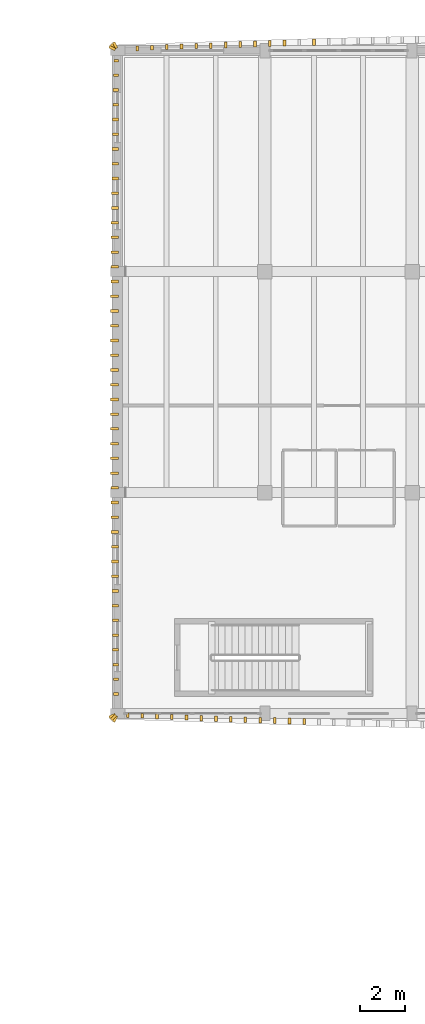
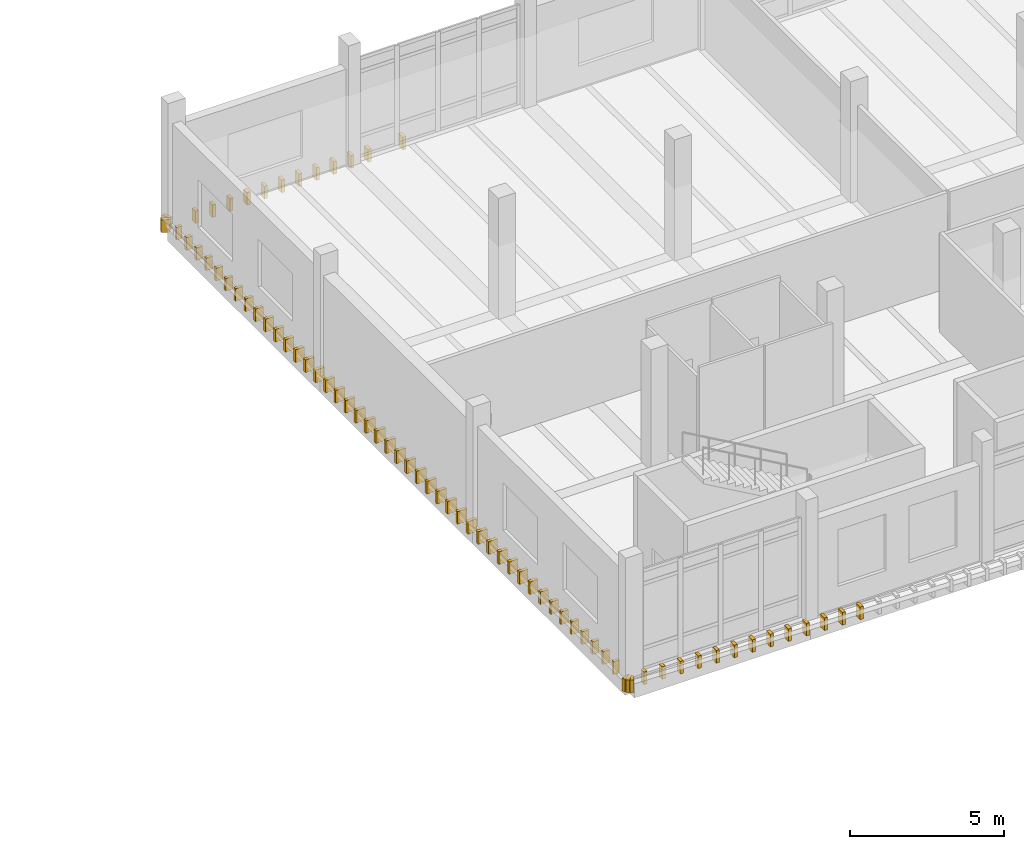
# One storey, part 72 of 76: 75 coverings.
"""IFC4 building model written with IfcOpenShell, lengths in metres."""

from ifc_helpers import new_model, si_unit, direction, frame, origin, origin_2d, place, context, subcontext, project, spatial, rectangle, extrude, material, layer, layer_set, type_object, element, save


model = new_model("IFC4")

# Units and contexts
model_context = context("Model", 3, precision=1e-05, world=origin(), true_north=direction((0.0, 1.0)))
body_context = subcontext(model_context, "Body", "Model", "MODEL_VIEW")
ifc_project = project(units=[si_unit("LENGTHUNIT", "METRE"), si_unit("AREAUNIT", "SQUARE_METRE"), si_unit("VOLUMEUNIT", "CUBIC_METRE"), si_unit("PLANEANGLEUNIT", "RADIAN"), si_unit("MASSUNIT", "GRAM", prefix="KILO")], contexts=[model_context])

# Site, building, storey
site_placement = place(None, origin())
site = spatial("IfcSite", under=ifc_project, at=site_placement, CompositionType="ELEMENT")
building_placement = place(site_placement, origin())
building = spatial("IfcBuilding", under=site, at=building_placement, Name="Dornvale Research Institute", CompositionType="ELEMENT")
storey_placement = place(building_placement, frame((0.0, 0.0, 15.0)))
storey = spatial("IfcBuildingStorey", under=building, at=storey_placement, Name="L03", CompositionType="ELEMENT", Elevation=15.0)

# Coverings
ifc_material = material(Name="Polychrome Glazed Terracotta Visor Rib Ceramic", Category="masonry")
ifc_layer = layer(ifc_material, 0.1201171875)
ifc_layer_set = layer_set([ifc_layer], Name="Polychrome Glazed Terracotta Visor Rib Ceramic")
covering_type = type_object("IfcCoveringType", Name="Covering_VisorBlade_Low", PredefinedType="CLADDING", material=ifc_layer_set)
covering_1_placement = place(storey_placement, frame((119.249755859375, 92.3212890625, -0.489990234375), z_axis=(0.0, 0.0, 1.0), x_axis=(0.0, 1.0, 0.0)))
element("IfcCovering", 1, at=covering_1_placement, inside=storey, type_object=covering_type, Name="L03 V4 canted glazed terracotta visor blade #2255", PredefinedType="CLADDING", context=body_context, shape_type="SweptSolid", body=[
    extrude(rectangle(XDim=0.205078125, YDim=0.1201171875, at=origin_2d()), origin(), (0.0, 0.0, 1.0), 0.5),
])
covering_2_placement = place(storey_placement, frame((119.9091796875, 92.294189453125, -0.489990234375), z_axis=(0.0, 0.0, 1.0), x_axis=(0.0, 1.0, 0.0)))
element("IfcCovering", 2, at=covering_2_placement, inside=storey, type_object=covering_type, Name="L03 V4 canted glazed terracotta visor blade #2256", PredefinedType="CLADDING", context=body_context, shape_type="SweptSolid", body=[
    extrude(rectangle(XDim=0.2119140625, YDim=0.1201171875, at=origin_2d()), origin(), (0.0, 0.0, 1.0), 0.5),
])
covering_3_placement = place(storey_placement, frame((120.56884765625, 92.267578125, -0.489990234375), z_axis=(0.0, 0.0, 1.0), x_axis=(0.0, 1.0, 0.0)))
element("IfcCovering", 3, at=covering_3_placement, inside=storey, type_object=covering_type, Name="L03 V4 canted glazed terracotta visor blade #2257", PredefinedType="CLADDING", context=body_context, shape_type="SweptSolid", body=[
    extrude(rectangle(XDim=0.218017578125, YDim=0.1201171875, at=origin_2d()), origin(), (0.0, 0.0, 1.0), 0.5),
])
covering_4_placement = place(storey_placement, frame((121.228515625, 92.24169921875, -0.489990234375), z_axis=(0.0, 0.0, 1.0), x_axis=(0.0, 1.0, 0.0)))
element("IfcCovering", 4, at=covering_4_placement, inside=storey, type_object=covering_type, Name="L03 V4 canted glazed terracotta visor blade #2258", PredefinedType="CLADDING", context=body_context, shape_type="SweptSolid", body=[
    extrude(rectangle(XDim=0.22509765625, YDim=0.1201171875, at=origin_2d()), origin(), (0.0, 0.0, 1.0), 0.5),
])
covering_5_placement = place(storey_placement, frame((121.88818359375, 92.2158203125, -0.489990234375), z_axis=(0.0, 0.0, 1.0), x_axis=(0.0, 1.0, 0.0)))
element("IfcCovering", 5, at=covering_5_placement, inside=storey, type_object=covering_type, Name="L03 V4 canted glazed terracotta visor blade #2259", PredefinedType="CLADDING", context=body_context, shape_type="SweptSolid", body=[
    extrude(rectangle(XDim=0.23193359375, YDim=0.1201171875, at=origin_2d()), origin(), (0.0, 0.0, 1.0), 0.5),
])
covering_6_placement = place(storey_placement, frame((122.5478515625, 92.19140625, -0.489990234375), z_axis=(0.0, 0.0, 1.0), x_axis=(0.0, 1.0, 0.0)))
element("IfcCovering", 6, at=covering_6_placement, inside=storey, type_object=covering_type, Name="L03 V4 canted glazed terracotta visor blade #2260", PredefinedType="CLADDING", context=body_context, shape_type="SweptSolid", body=[
    extrude(rectangle(XDim=0.238037109375, YDim=0.1201171875, at=origin_2d()), origin(), (0.0, 0.0, 1.0), 0.5),
])
covering_7_placement = place(storey_placement, frame((123.20751953125, 92.167236328125, -0.489990234375), z_axis=(0.0, 0.0, 1.0), x_axis=(0.0, 1.0, 0.0)))
element("IfcCovering", 7, at=covering_7_placement, inside=storey, type_object=covering_type, Name="L03 V4 canted glazed terracotta visor blade #2261", PredefinedType="CLADDING", context=body_context, shape_type="SweptSolid", body=[
    extrude(rectangle(XDim=0.243896484375, YDim=0.1201171875, at=origin_2d()), origin(), (0.0, 0.0, 1.0), 0.5),
])
covering_8_placement = place(storey_placement, frame((123.8671875, 92.143310546875, -0.489990234375), z_axis=(0.0, 0.0, 1.0), x_axis=(0.0, 1.0, 0.0)))
element("IfcCovering", 8, at=covering_8_placement, inside=storey, type_object=covering_type, Name="L03 V4 canted glazed terracotta visor blade #2262", PredefinedType="CLADDING", context=body_context, shape_type="SweptSolid", body=[
    extrude(rectangle(XDim=0.25, YDim=0.1201171875, at=origin_2d()), origin(), (0.0, 0.0, 1.0), 0.5),
])
covering_9_placement = place(storey_placement, frame((124.52685546875, 92.12060546875, -0.489990234375), z_axis=(0.0, 0.0, 1.0), x_axis=(0.0, 1.0, 0.0)))
element("IfcCovering", 9, at=covering_9_placement, inside=storey, type_object=covering_type, Name="L03 V4 canted glazed terracotta visor blade #2263", PredefinedType="CLADDING", context=body_context, shape_type="SweptSolid", body=[
    extrude(rectangle(XDim=0.256103515625, YDim=0.1201171875, at=origin_2d()), origin(), (0.0, 0.0, 1.0), 0.5),
])
covering_10_placement = place(storey_placement, frame((125.1865234375, 92.0986328125, -0.489990234375), z_axis=(0.0, 0.0, 1.0), x_axis=(0.0, 1.0, 0.0)))
element("IfcCovering", 10, at=covering_10_placement, inside=storey, type_object=covering_type, Name="L03 V4 canted glazed terracotta visor blade #2264", PredefinedType="CLADDING", context=body_context, shape_type="SweptSolid", body=[
    extrude(rectangle(XDim=0.260986328125, YDim=0.1201171875, at=origin_2d()), origin(), (0.0, 0.0, 1.0), 0.5),
])
covering_11_placement = place(storey_placement, frame((125.84619140625, 92.076904296875, -0.489990234375), z_axis=(0.0, 0.0, 1.0), x_axis=(0.0, 1.0, 0.0)))
element("IfcCovering", 11, at=covering_11_placement, inside=storey, type_object=covering_type, Name="L03 V4 canted glazed terracotta visor blade #2265", PredefinedType="CLADDING", context=body_context, shape_type="SweptSolid", body=[
    extrude(rectangle(XDim=0.26708984375, YDim=0.1201171875, at=origin_2d()), origin(), (0.0, 0.0, 1.0), 0.5),
])
covering_12_placement = place(storey_placement, frame((126.506103515625, 92.055908203125, -0.489990234375), z_axis=(0.0, 0.0, 1.0), x_axis=(0.0, 1.0, 0.0)))
element("IfcCovering", 12, at=covering_12_placement, inside=storey, type_object=covering_type, Name="L03 V4 canted glazed terracotta visor blade #2266", PredefinedType="CLADDING", context=body_context, shape_type="SweptSolid", body=[
    extrude(rectangle(XDim=0.27197265625, YDim=0.1201171875, at=origin_2d()), origin(), (0.0, 0.0, 1.0), 0.5),
])
covering_13_placement = place(storey_placement, frame((127.165771484375, 92.035400390625, -0.489990234375), z_axis=(0.0, 0.0, 1.0), x_axis=(0.0, 1.0, 0.0)))
element("IfcCovering", 13, at=covering_13_placement, inside=storey, type_object=covering_type, Name="L03 V4 canted glazed terracotta visor blade #2267", PredefinedType="CLADDING", context=body_context, shape_type="SweptSolid", body=[
    extrude(rectangle(XDim=0.277099609375, YDim=0.1201171875, at=origin_2d()), origin(), (0.0, 0.0, 1.0), 0.5),
])
covering_14_placement = place(storey_placement, frame((127.59912109375, 122.477783203125, -0.489990234375), z_axis=(0.0, 0.0, 1.0), x_axis=(0.0, 1.0, 0.0)))
element("IfcCovering", 14, at=covering_14_placement, inside=storey, type_object=covering_type, Name="L03 V4 canted glazed terracotta visor blade #2420", PredefinedType="CLADDING", context=body_context, shape_type="SweptSolid", body=[
    extrude(rectangle(XDim=0.281005859375, YDim=0.1201171875, at=origin_2d()), origin(), (0.0, 0.0, 1.0), 0.5),
])
covering_15_placement = place(storey_placement, frame((126.279541015625, 122.436767578125, -0.489990234375), z_axis=(0.0, 0.0, 1.0), x_axis=(0.0, 1.0, 0.0)))
element("IfcCovering", 15, at=covering_15_placement, inside=storey, type_object=covering_type, Name="L03 V4 canted glazed terracotta visor blade #2422", PredefinedType="CLADDING", context=body_context, shape_type="SweptSolid", body=[
    extrude(rectangle(XDim=0.27001953125, YDim=0.1201171875, at=origin_2d()), origin(), (0.0, 0.0, 1.0), 0.5),
])
covering_16_placement = place(storey_placement, frame((125.619873046875, 122.416015625, -0.489990234375), z_axis=(0.0, 0.0, 1.0), x_axis=(0.0, 1.0, 0.0)))
element("IfcCovering", 16, at=covering_16_placement, inside=storey, type_object=covering_type, Name="L03 V4 canted glazed terracotta visor blade #2423", PredefinedType="CLADDING", context=body_context, shape_type="SweptSolid", body=[
    extrude(rectangle(XDim=0.264892578125, YDim=0.1201171875, at=origin_2d()), origin(), (0.0, 0.0, 1.0), 0.5),
])
covering_17_placement = place(storey_placement, frame((124.960205078125, 122.394287109375, -0.489990234375), z_axis=(0.0, 0.0, 1.0), x_axis=(0.0, 1.0, 0.0)))
element("IfcCovering", 17, at=covering_17_placement, inside=storey, type_object=covering_type, Name="L03 V4 canted glazed terracotta visor blade #2424", PredefinedType="CLADDING", context=body_context, shape_type="SweptSolid", body=[
    extrude(rectangle(XDim=0.260009765625, YDim=0.1201171875, at=origin_2d()), origin(), (0.0, 0.0, 1.0), 0.5),
])
covering_18_placement = place(storey_placement, frame((124.300537109375, 122.37158203125, -0.489990234375), z_axis=(0.0, 0.0, 1.0), x_axis=(0.0, 1.0, 0.0)))
element("IfcCovering", 18, at=covering_18_placement, inside=storey, type_object=covering_type, Name="L03 V4 canted glazed terracotta visor blade #2425", PredefinedType="CLADDING", context=body_context, shape_type="SweptSolid", body=[
    extrude(rectangle(XDim=0.25390625, YDim=0.1201171875, at=origin_2d()), origin(), (0.0, 0.0, 1.0), 0.5),
])
covering_19_placement = place(storey_placement, frame((123.640869140625, 122.3486328125, -0.489990234375), z_axis=(0.0, 0.0, 1.0), x_axis=(0.0, 1.0, 0.0)))
element("IfcCovering", 19, at=covering_19_placement, inside=storey, type_object=covering_type, Name="L03 V4 canted glazed terracotta visor blade #2426", PredefinedType="CLADDING", context=body_context, shape_type="SweptSolid", body=[
    extrude(rectangle(XDim=0.248046875, YDim=0.1201171875, at=origin_2d()), origin(), (0.0, 0.0, 1.0), 0.5),
])
covering_20_placement = place(storey_placement, frame((122.981201171875, 122.324462890625, -0.489990234375), z_axis=(0.0, 0.0, 1.0), x_axis=(0.0, 1.0, 0.0)))
element("IfcCovering", 20, at=covering_20_placement, inside=storey, type_object=covering_type, Name="L03 V4 canted glazed terracotta visor blade #2427", PredefinedType="CLADDING", context=body_context, shape_type="SweptSolid", body=[
    extrude(rectangle(XDim=0.241943359375, YDim=0.1201171875, at=origin_2d()), origin(), (0.0, 0.0, 1.0), 0.5),
])
covering_21_placement = place(storey_placement, frame((122.3212890625, 122.300537109375, -0.489990234375), z_axis=(0.0, 0.0, 1.0), x_axis=(0.0, 1.0, 0.0)))
element("IfcCovering", 21, at=covering_21_placement, inside=storey, type_object=covering_type, Name="L03 V4 canted glazed terracotta visor blade #2428", PredefinedType="CLADDING", context=body_context, shape_type="SweptSolid", body=[
    extrude(rectangle(XDim=0.236083984375, YDim=0.1201171875, at=origin_2d()), origin(), (0.0, 0.0, 1.0), 0.5),
])
covering_22_placement = place(storey_placement, frame((121.661865234375, 122.27490234375, -0.489990234375), z_axis=(0.0, 0.0, 1.0), x_axis=(0.0, 1.0, 0.0)))
element("IfcCovering", 22, at=covering_22_placement, inside=storey, type_object=covering_type, Name="L03 V4 canted glazed terracotta visor blade #2429", PredefinedType="CLADDING", context=body_context, shape_type="SweptSolid", body=[
    extrude(rectangle(XDim=0.22900390625, YDim=0.1201171875, at=origin_2d()), origin(), (0.0, 0.0, 1.0), 0.5),
])
covering_23_placement = place(storey_placement, frame((121.002197265625, 122.24951171875, -0.489990234375), z_axis=(0.0, 0.0, 1.0), x_axis=(0.0, 1.0, 0.0)))
element("IfcCovering", 23, at=covering_23_placement, inside=storey, type_object=covering_type, Name="L03 V4 canted glazed terracotta visor blade #2430", PredefinedType="CLADDING", context=body_context, shape_type="SweptSolid", body=[
    extrude(rectangle(XDim=0.222900390625, YDim=0.1201171875, at=origin_2d()), origin(), (0.0, 0.0, 1.0), 0.5),
])
covering_24_placement = place(storey_placement, frame((120.342529296875, 122.223388671875, -0.489990234375), z_axis=(0.0, 0.0, 1.0), x_axis=(0.0, 1.0, 0.0)))
element("IfcCovering", 24, at=covering_24_placement, inside=storey, type_object=covering_type, Name="L03 V4 canted glazed terracotta visor blade #2431", PredefinedType="CLADDING", context=body_context, shape_type="SweptSolid", body=[
    extrude(rectangle(XDim=0.216064453125, YDim=0.1201171875, at=origin_2d()), origin(), (0.0, 0.0, 1.0), 0.5),
])
covering_25_placement = place(storey_placement, frame((119.68310546875, 122.1962890625, -0.489990234375), z_axis=(0.0, 0.0, 1.0), x_axis=(0.0, 1.0, 0.0)))
element("IfcCovering", 25, at=covering_25_placement, inside=storey, type_object=covering_type, Name="L03 V4 canted glazed terracotta visor blade #2432", PredefinedType="CLADDING", context=body_context, shape_type="SweptSolid", body=[
    extrude(rectangle(XDim=0.208984375, YDim=0.1201171875, at=origin_2d()), origin(), (0.0, 0.0, 1.0), 0.5),
])
covering_26_placement = place(storey_placement, frame((118.735107421875, 121.64990234375, -0.489990234375), z_axis=(0.0, 0.0, 1.0), x_axis=(1.0, 0.0, 0.0)))
element("IfcCovering", 26, at=covering_26_placement, inside=storey, type_object=covering_type, Name="L03 V4 canted glazed terracotta visor blade #2477", PredefinedType="CLADDING", context=body_context, shape_type="SweptSolid", body=[
    extrude(rectangle(XDim=0.2099609375, YDim=0.1201171875, at=origin_2d()), origin(), (0.0, 0.0, 1.0), 0.5),
])
covering_27_placement = place(storey_placement, frame((118.728515625, 120.989990234375, -0.489990234375), z_axis=(0.0, 0.0, 1.0), x_axis=(1.0, 0.0, 0.0)))
element("IfcCovering", 27, at=covering_27_placement, inside=storey, type_object=covering_type, Name="L03 V4 canted glazed terracotta visor blade #2478", PredefinedType="CLADDING", context=body_context, shape_type="SweptSolid", body=[
    extrude(rectangle(XDim=0.222900390625, YDim=0.1201171875, at=origin_2d()), origin(), (0.0, 0.0, 1.0), 0.5),
])
covering_28_placement = place(storey_placement, frame((118.721923828125, 120.330078125, -0.489990234375), z_axis=(0.0, 0.0, 1.0), x_axis=(1.0, 0.0, 0.0)))
element("IfcCovering", 28, at=covering_28_placement, inside=storey, type_object=covering_type, Name="L03 V4 canted glazed terracotta visor blade #2479", PredefinedType="CLADDING", context=body_context, shape_type="SweptSolid", body=[
    extrude(rectangle(XDim=0.236083984375, YDim=0.1201171875, at=origin_2d()), origin(), (0.0, 0.0, 1.0), 0.5),
])
covering_29_placement = place(storey_placement, frame((118.716064453125, 119.669921875, -0.489990234375), z_axis=(0.0, 0.0, 1.0), x_axis=(1.0, 0.0, 0.0)))
element("IfcCovering", 29, at=covering_29_placement, inside=storey, type_object=covering_type, Name="L03 V4 canted glazed terracotta visor blade #2480", PredefinedType="CLADDING", context=body_context, shape_type="SweptSolid", body=[
    extrude(rectangle(XDim=0.248046875, YDim=0.1201171875, at=origin_2d()), origin(), (0.0, 0.0, 1.0), 0.5),
])
covering_30_placement = place(storey_placement, frame((118.7099609375, 119.010009765625, -0.489990234375), z_axis=(0.0, 0.0, 1.0), x_axis=(1.0, 0.0, 0.0)))
element("IfcCovering", 30, at=covering_30_placement, inside=storey, type_object=covering_type, Name="L03 V4 canted glazed terracotta visor blade #2481", PredefinedType="CLADDING", context=body_context, shape_type="SweptSolid", body=[
    extrude(rectangle(XDim=0.260009765625, YDim=0.1201171875, at=origin_2d()), origin(), (0.0, 0.0, 1.0), 0.5),
])
covering_31_placement = place(storey_placement, frame((118.70458984375, 118.35009765625, -0.489990234375), z_axis=(0.0, 0.0, 1.0), x_axis=(1.0, 0.0, 0.0)))
element("IfcCovering", 31, at=covering_31_placement, inside=storey, type_object=covering_type, Name="L03 V4 canted glazed terracotta visor blade #2482", PredefinedType="CLADDING", context=body_context, shape_type="SweptSolid", body=[
    extrude(rectangle(XDim=0.27099609375, YDim=0.1201171875, at=origin_2d()), origin(), (0.0, 0.0, 1.0), 0.5),
])
covering_32_placement = place(storey_placement, frame((118.699462890625, 117.68994140625, -0.489990234375), z_axis=(0.0, 0.0, 1.0), x_axis=(1.0, 0.0, 0.0)))
element("IfcCovering", 32, at=covering_32_placement, inside=storey, type_object=covering_type, Name="L03 V4 canted glazed terracotta visor blade #2483", PredefinedType="CLADDING", context=body_context, shape_type="SweptSolid", body=[
    extrude(rectangle(XDim=0.281005859375, YDim=0.1201171875, at=origin_2d()), origin(), (0.0, 0.0, 1.0), 0.5),
])
covering_33_placement = place(storey_placement, frame((118.694580078125, 117.030029296875, -0.489990234375), z_axis=(0.0, 0.0, 1.0), x_axis=(1.0, 0.0, 0.0)))
element("IfcCovering", 33, at=covering_33_placement, inside=storey, type_object=covering_type, Name="L03 V4 canted glazed terracotta visor blade #2484", PredefinedType="CLADDING", context=body_context, shape_type="SweptSolid", body=[
    extrude(rectangle(XDim=0.291015625, YDim=0.1201171875, at=origin_2d()), origin(), (0.0, 0.0, 1.0), 0.5),
])
covering_34_placement = place(storey_placement, frame((118.68994140625, 116.3701171875, -0.489990234375), z_axis=(0.0, 0.0, 1.0), x_axis=(1.0, 0.0, 0.0)))
element("IfcCovering", 34, at=covering_34_placement, inside=storey, type_object=covering_type, Name="L03 V4 canted glazed terracotta visor blade #2485", PredefinedType="CLADDING", context=body_context, shape_type="SweptSolid", body=[
    extrude(rectangle(XDim=0.300048828125, YDim=0.1201171875, at=origin_2d()), origin(), (0.0, 0.0, 1.0), 0.5),
])
covering_35_placement = place(storey_placement, frame((118.68603515625, 115.7099609375, -0.489990234375), z_axis=(0.0, 0.0, 1.0), x_axis=(1.0, 0.0, 0.0)))
element("IfcCovering", 35, at=covering_35_placement, inside=storey, type_object=covering_type, Name="L03 V4 canted glazed terracotta visor blade #2486", PredefinedType="CLADDING", context=body_context, shape_type="SweptSolid", body=[
    extrude(rectangle(XDim=0.30810546875, YDim=0.1201171875, at=origin_2d()), origin(), (0.0, 0.0, 1.0), 0.5),
])
covering_36_placement = place(storey_placement, frame((118.681884765625, 115.050048828125, -0.489990234375), z_axis=(0.0, 0.0, 1.0), x_axis=(1.0, 0.0, 0.0)))
element("IfcCovering", 36, at=covering_36_placement, inside=storey, type_object=covering_type, Name="L03 V4 canted glazed terracotta visor blade #2487", PredefinedType="CLADDING", context=body_context, shape_type="SweptSolid", body=[
    extrude(rectangle(XDim=0.31591796875, YDim=0.1201171875, at=origin_2d()), origin(), (0.0, 0.0, 1.0), 0.5),
])
covering_37_placement = place(storey_placement, frame((118.678466796875, 114.389892578125, -0.489990234375), z_axis=(0.0, 0.0, 1.0), x_axis=(1.0, 0.0, 0.0)))
element("IfcCovering", 37, at=covering_37_placement, inside=storey, type_object=covering_type, Name="L03 V4 canted glazed terracotta visor blade #2488", PredefinedType="CLADDING", context=body_context, shape_type="SweptSolid", body=[
    extrude(rectangle(XDim=0.322998046875, YDim=0.1201171875, at=origin_2d()), origin(), (0.0, 0.0, 1.0), 0.5),
])
covering_38_placement = place(storey_placement, frame((118.675048828125, 113.72998046875, -0.489990234375), z_axis=(0.0, 0.0, 1.0), x_axis=(1.0, 0.0, 0.0)))
element("IfcCovering", 38, at=covering_38_placement, inside=storey, type_object=covering_type, Name="L03 V4 canted glazed terracotta visor blade #2489", PredefinedType="CLADDING", context=body_context, shape_type="SweptSolid", body=[
    extrude(rectangle(XDim=0.330078125, YDim=0.1201171875, at=origin_2d()), origin(), (0.0, 0.0, 1.0), 0.5),
])
covering_39_placement = place(storey_placement, frame((118.672607421875, 113.070068359375, -0.489990234375), z_axis=(0.0, 0.0, 1.0), x_axis=(1.0, 0.0, 0.0)))
element("IfcCovering", 39, at=covering_39_placement, inside=storey, type_object=covering_type, Name="L03 V4 canted glazed terracotta visor blade #2490", PredefinedType="CLADDING", context=body_context, shape_type="SweptSolid", body=[
    extrude(rectangle(XDim=0.3349609375, YDim=0.1201171875, at=origin_2d()), origin(), (0.0, 0.0, 1.0), 0.5),
])
covering_40_placement = place(storey_placement, frame((118.66943359375, 112.409912109375, -0.489990234375), z_axis=(0.0, 0.0, 1.0), x_axis=(1.0, 0.0, 0.0)))
element("IfcCovering", 40, at=covering_40_placement, inside=storey, type_object=covering_type, Name="L03 V4 canted glazed terracotta visor blade #2491", PredefinedType="CLADDING", context=body_context, shape_type="SweptSolid", body=[
    extrude(rectangle(XDim=0.341064453125, YDim=0.1201171875, at=origin_2d()), origin(), (0.0, 0.0, 1.0), 0.5),
])
covering_41_placement = place(storey_placement, frame((118.66748046875, 111.75, -0.489990234375), z_axis=(0.0, 0.0, 1.0), x_axis=(1.0, 0.0, 0.0)))
element("IfcCovering", 41, at=covering_41_placement, inside=storey, type_object=covering_type, Name="L03 V4 canted glazed terracotta visor blade #2492", PredefinedType="CLADDING", context=body_context, shape_type="SweptSolid", body=[
    extrude(rectangle(XDim=0.344970703125, YDim=0.1201171875, at=origin_2d()), origin(), (0.0, 0.0, 1.0), 0.5),
])
covering_42_placement = place(storey_placement, frame((118.66552734375, 111.090087890625, -0.489990234375), z_axis=(0.0, 0.0, 1.0), x_axis=(1.0, 0.0, 0.0)))
element("IfcCovering", 42, at=covering_42_placement, inside=storey, type_object=covering_type, Name="L03 V4 canted glazed terracotta visor blade #2493", PredefinedType="CLADDING", context=body_context, shape_type="SweptSolid", body=[
    extrude(rectangle(XDim=0.34912109375, YDim=0.1201171875, at=origin_2d()), origin(), (0.0, 0.0, 1.0), 0.5),
])
covering_43_placement = place(storey_placement, frame((118.66357421875, 110.429931640625, -0.489990234375), z_axis=(0.0, 0.0, 1.0), x_axis=(1.0, 0.0, 0.0)))
element("IfcCovering", 43, at=covering_43_placement, inside=storey, type_object=covering_type, Name="L03 V4 canted glazed terracotta visor blade #2494", PredefinedType="CLADDING", context=body_context, shape_type="SweptSolid", body=[
    extrude(rectangle(XDim=0.35302734375, YDim=0.1201171875, at=origin_2d()), origin(), (0.0, 0.0, 1.0), 0.5),
])
covering_44_placement = place(storey_placement, frame((118.66259765625, 109.77001953125, -0.489990234375), z_axis=(0.0, 0.0, 1.0), x_axis=(1.0, 0.0, 0.0)))
element("IfcCovering", 44, at=covering_44_placement, inside=storey, type_object=covering_type, Name="L03 V4 canted glazed terracotta visor blade #2495", PredefinedType="CLADDING", context=body_context, shape_type="SweptSolid", body=[
    extrude(rectangle(XDim=0.35498046875, YDim=0.1201171875, at=origin_2d()), origin(), (0.0, 0.0, 1.0), 0.5),
])
covering_45_placement = place(storey_placement, frame((118.66162109375, 109.110107421875, -0.489990234375), z_axis=(0.0, 0.0, 1.0), x_axis=(1.0, 0.0, 0.0)))
element("IfcCovering", 45, at=covering_45_placement, inside=storey, type_object=covering_type, Name="L03 V4 canted glazed terracotta visor blade #2496", PredefinedType="CLADDING", context=body_context, shape_type="SweptSolid", body=[
    extrude(rectangle(XDim=0.35693359375, YDim=0.1201171875, at=origin_2d()), origin(), (0.0, 0.0, 1.0), 0.5),
])
covering_46_placement = place(storey_placement, frame((118.660400390625, 108.449951171875, -0.489990234375), z_axis=(0.0, 0.0, 1.0), x_axis=(1.0, 0.0, 0.0)))
element("IfcCovering", 46, at=covering_46_placement, inside=storey, type_object=covering_type, Name="L03 V4 canted glazed terracotta visor blade #2497", PredefinedType="CLADDING", context=body_context, shape_type="SweptSolid", body=[
    extrude(rectangle(XDim=0.35888671875, YDim=0.1201171875, at=origin_2d()), origin(), (0.0, 0.0, 1.0), 0.5),
])
for number, where, z_axis, x_axis, name in (
    (47, (118.659912109375, 107.7900390625, -0.489990234375), (0.0, 0.0, 1.0), (1.0, 0.0, 0.0), "L03 V4 canted glazed terracotta visor blade #2498"),
    (48, (118.659912109375, 107.1298828125, -0.489990234375), (0.0, 0.0, 1.0), (1.0, 0.0, 0.0), "L03 V4 canted glazed terracotta visor blade #2499"),
    (49, (118.659912109375, 106.469970703125, -0.489990234375), (0.0, 0.0, 1.0), (1.0, 0.0, 0.0), "L03 V4 canted glazed terracotta visor blade #2500"),
):
    element("IfcCovering", number, at=place(storey_placement, frame(where, z_axis=z_axis, x_axis=x_axis)), inside=storey, type_object=covering_type, Name=name, PredefinedType="CLADDING", context=body_context, shape_type="SweptSolid", body=[
        extrude(rectangle(XDim=0.360107421875, YDim=0.1201171875, at=origin_2d()), origin(), (0.0, 0.0, 1.0), 0.5),
    ])
covering_47_placement = place(storey_placement, frame((118.660888671875, 105.81005859375, -0.489990234375), z_axis=(0.0, 0.0, 1.0), x_axis=(1.0, 0.0, 0.0)))
element("IfcCovering", 50, at=covering_47_placement, inside=storey, type_object=covering_type, Name="L03 V4 canted glazed terracotta visor blade #2501", PredefinedType="CLADDING", context=body_context, shape_type="SweptSolid", body=[
    extrude(rectangle(XDim=0.35791015625, YDim=0.1201171875, at=origin_2d()), origin(), (0.0, 0.0, 1.0), 0.5),
])
covering_48_placement = place(storey_placement, frame((118.66162109375, 105.14990234375, -0.489990234375), z_axis=(0.0, 0.0, 1.0), x_axis=(1.0, 0.0, 0.0)))
element("IfcCovering", 51, at=covering_48_placement, inside=storey, type_object=covering_type, Name="L03 V4 canted glazed terracotta visor blade #2502", PredefinedType="CLADDING", context=body_context, shape_type="SweptSolid", body=[
    extrude(rectangle(XDim=0.35693359375, YDim=0.1201171875, at=origin_2d()), origin(), (0.0, 0.0, 1.0), 0.5),
])
covering_49_placement = place(storey_placement, frame((118.6630859375, 104.489990234375, -0.489990234375), z_axis=(0.0, 0.0, 1.0), x_axis=(1.0, 0.0, 0.0)))
element("IfcCovering", 52, at=covering_49_placement, inside=storey, type_object=covering_type, Name="L03 V4 canted glazed terracotta visor blade #2503", PredefinedType="CLADDING", context=body_context, shape_type="SweptSolid", body=[
    extrude(rectangle(XDim=0.35400390625, YDim=0.1201171875, at=origin_2d()), origin(), (0.0, 0.0, 1.0), 0.5),
])
covering_50_placement = place(storey_placement, frame((118.6640625, 103.830078125, -0.489990234375), z_axis=(0.0, 0.0, 1.0), x_axis=(1.0, 0.0, 0.0)))
element("IfcCovering", 53, at=covering_50_placement, inside=storey, type_object=covering_type, Name="L03 V4 canted glazed terracotta visor blade #2504", PredefinedType="CLADDING", context=body_context, shape_type="SweptSolid", body=[
    extrude(rectangle(XDim=0.35205078125, YDim=0.1201171875, at=origin_2d()), origin(), (0.0, 0.0, 1.0), 0.5),
])
covering_51_placement = place(storey_placement, frame((118.666015625, 103.169921875, -0.489990234375), z_axis=(0.0, 0.0, 1.0), x_axis=(1.0, 0.0, 0.0)))
element("IfcCovering", 54, at=covering_51_placement, inside=storey, type_object=covering_type, Name="L03 V4 canted glazed terracotta visor blade #2505", PredefinedType="CLADDING", context=body_context, shape_type="SweptSolid", body=[
    extrude(rectangle(XDim=0.347900390625, YDim=0.1201171875, at=origin_2d()), origin(), (0.0, 0.0, 1.0), 0.5),
])
covering_52_placement = place(storey_placement, frame((118.66796875, 102.510009765625, -0.489990234375), z_axis=(0.0, 0.0, 1.0), x_axis=(1.0, 0.0, 0.0)))
element("IfcCovering", 55, at=covering_52_placement, inside=storey, type_object=covering_type, Name="L03 V4 canted glazed terracotta visor blade #2506", PredefinedType="CLADDING", context=body_context, shape_type="SweptSolid", body=[
    extrude(rectangle(XDim=0.343994140625, YDim=0.1201171875, at=origin_2d()), origin(), (0.0, 0.0, 1.0), 0.5),
])
covering_53_placement = place(storey_placement, frame((118.67041015625, 101.85009765625, -0.489990234375), z_axis=(0.0, 0.0, 1.0), x_axis=(1.0, 0.0, 0.0)))
element("IfcCovering", 56, at=covering_53_placement, inside=storey, type_object=covering_type, Name="L03 V4 canted glazed terracotta visor blade #2507", PredefinedType="CLADDING", context=body_context, shape_type="SweptSolid", body=[
    extrude(rectangle(XDim=0.339111328125, YDim=0.1201171875, at=origin_2d()), origin(), (0.0, 0.0, 1.0), 0.5),
])
covering_54_placement = place(storey_placement, frame((118.673583984375, 101.18994140625, -0.489990234375), z_axis=(0.0, 0.0, 1.0), x_axis=(1.0, 0.0, 0.0)))
element("IfcCovering", 57, at=covering_54_placement, inside=storey, type_object=covering_type, Name="L03 V4 canted glazed terracotta visor blade #2508", PredefinedType="CLADDING", context=body_context, shape_type="SweptSolid", body=[
    extrude(rectangle(XDim=0.3330078125, YDim=0.1201171875, at=origin_2d()), origin(), (0.0, 0.0, 1.0), 0.5),
])
covering_55_placement = place(storey_placement, frame((118.676513671875, 100.530029296875, -0.489990234375), z_axis=(0.0, 0.0, 1.0), x_axis=(1.0, 0.0, 0.0)))
element("IfcCovering", 58, at=covering_55_placement, inside=storey, type_object=covering_type, Name="L03 V4 canted glazed terracotta visor blade #2509", PredefinedType="CLADDING", context=body_context, shape_type="SweptSolid", body=[
    extrude(rectangle(XDim=0.326904296875, YDim=0.1201171875, at=origin_2d()), origin(), (0.0, 0.0, 1.0), 0.5),
])
covering_56_placement = place(storey_placement, frame((118.679931640625, 99.8701171875, -0.489990234375), z_axis=(0.0, 0.0, 1.0), x_axis=(1.0, 0.0, 0.0)))
element("IfcCovering", 59, at=covering_56_placement, inside=storey, type_object=covering_type, Name="L03 V4 canted glazed terracotta visor blade #2510", PredefinedType="CLADDING", context=body_context, shape_type="SweptSolid", body=[
    extrude(rectangle(XDim=0.320068359375, YDim=0.1201171875, at=origin_2d()), origin(), (0.0, 0.0, 1.0), 0.5),
])
covering_57_placement = place(storey_placement, frame((118.68359375, 99.2099609375, -0.489990234375), z_axis=(0.0, 0.0, 1.0), x_axis=(1.0, 0.0, 0.0)))
element("IfcCovering", 60, at=covering_57_placement, inside=storey, type_object=covering_type, Name="L03 V4 canted glazed terracotta visor blade #2511", PredefinedType="CLADDING", context=body_context, shape_type="SweptSolid", body=[
    extrude(rectangle(XDim=0.31298828125, YDim=0.1201171875, at=origin_2d()), origin(), (0.0, 0.0, 1.0), 0.5),
])
covering_58_placement = place(storey_placement, frame((118.6875, 98.550048828125, -0.489990234375), z_axis=(0.0, 0.0, 1.0), x_axis=(1.0, 0.0, 0.0)))
element("IfcCovering", 61, at=covering_58_placement, inside=storey, type_object=covering_type, Name="L03 V4 canted glazed terracotta visor blade #2512", PredefinedType="CLADDING", context=body_context, shape_type="SweptSolid", body=[
    extrude(rectangle(XDim=0.304931640625, YDim=0.1201171875, at=origin_2d()), origin(), (0.0, 0.0, 1.0), 0.5),
])
covering_59_placement = place(storey_placement, frame((118.69189453125, 97.889892578125, -0.489990234375), z_axis=(0.0, 0.0, 1.0), x_axis=(1.0, 0.0, 0.0)))
element("IfcCovering", 62, at=covering_59_placement, inside=storey, type_object=covering_type, Name="L03 V4 canted glazed terracotta visor blade #2513", PredefinedType="CLADDING", context=body_context, shape_type="SweptSolid", body=[
    extrude(rectangle(XDim=0.2958984375, YDim=0.1201171875, at=origin_2d()), origin(), (0.0, 0.0, 1.0), 0.5),
])
covering_60_placement = place(storey_placement, frame((118.696533203125, 97.22998046875, -0.489990234375), z_axis=(0.0, 0.0, 1.0), x_axis=(1.0, 0.0, 0.0)))
element("IfcCovering", 63, at=covering_60_placement, inside=storey, type_object=covering_type, Name="L03 V4 canted glazed terracotta visor blade #2514", PredefinedType="CLADDING", context=body_context, shape_type="SweptSolid", body=[
    extrude(rectangle(XDim=0.287109375, YDim=0.1201171875, at=origin_2d()), origin(), (0.0, 0.0, 1.0), 0.5),
])
covering_61_placement = place(storey_placement, frame((118.701416015625, 96.570068359375, -0.489990234375), z_axis=(0.0, 0.0, 1.0), x_axis=(1.0, 0.0, 0.0)))
element("IfcCovering", 64, at=covering_61_placement, inside=storey, type_object=covering_type, Name="L03 V4 canted glazed terracotta visor blade #2515", PredefinedType="CLADDING", context=body_context, shape_type="SweptSolid", body=[
    extrude(rectangle(XDim=0.277099609375, YDim=0.1201171875, at=origin_2d()), origin(), (0.0, 0.0, 1.0), 0.5),
])
covering_62_placement = place(storey_placement, frame((118.70654296875, 95.909912109375, -0.489990234375), z_axis=(0.0, 0.0, 1.0), x_axis=(1.0, 0.0, 0.0)))
element("IfcCovering", 65, at=covering_62_placement, inside=storey, type_object=covering_type, Name="L03 V4 canted glazed terracotta visor blade #2516", PredefinedType="CLADDING", context=body_context, shape_type="SweptSolid", body=[
    extrude(rectangle(XDim=0.26708984375, YDim=0.1201171875, at=origin_2d()), origin(), (0.0, 0.0, 1.0), 0.5),
])
covering_63_placement = place(storey_placement, frame((118.7119140625, 95.25, -0.489990234375), z_axis=(0.0, 0.0, 1.0), x_axis=(1.0, 0.0, 0.0)))
element("IfcCovering", 66, at=covering_63_placement, inside=storey, type_object=covering_type, Name="L03 V4 canted glazed terracotta visor blade #2517", PredefinedType="CLADDING", context=body_context, shape_type="SweptSolid", body=[
    extrude(rectangle(XDim=0.256103515625, YDim=0.1201171875, at=origin_2d()), origin(), (0.0, 0.0, 1.0), 0.5),
])
covering_64_placement = place(storey_placement, frame((118.718017578125, 94.590087890625, -0.489990234375), z_axis=(0.0, 0.0, 1.0), x_axis=(1.0, 0.0, 0.0)))
element("IfcCovering", 67, at=covering_64_placement, inside=storey, type_object=covering_type, Name="L03 V4 canted glazed terracotta visor blade #2518", PredefinedType="CLADDING", context=body_context, shape_type="SweptSolid", body=[
    extrude(rectangle(XDim=0.243896484375, YDim=0.1201171875, at=origin_2d()), origin(), (0.0, 0.0, 1.0), 0.5),
])
covering_65_placement = place(storey_placement, frame((118.724609375, 93.929931640625, -0.489990234375), z_axis=(0.0, 0.0, 1.0), x_axis=(1.0, 0.0, 0.0)))
element("IfcCovering", 68, at=covering_65_placement, inside=storey, type_object=covering_type, Name="L03 V4 canted glazed terracotta visor blade #2519", PredefinedType="CLADDING", context=body_context, shape_type="SweptSolid", body=[
    extrude(rectangle(XDim=0.23095703125, YDim=0.1201171875, at=origin_2d()), origin(), (0.0, 0.0, 1.0), 0.5),
])
covering_66_placement = place(storey_placement, frame((118.73095703125, 93.27001953125, -0.489990234375), z_axis=(0.0, 0.0, 1.0), x_axis=(1.0, 0.0, 0.0)))
element("IfcCovering", 69, at=covering_66_placement, inside=storey, type_object=covering_type, Name="L03 V4 canted glazed terracotta visor blade #2520", PredefinedType="CLADDING", context=body_context, shape_type="SweptSolid", body=[
    extrude(rectangle(XDim=0.218017578125, YDim=0.1201171875, at=origin_2d()), origin(), (0.0, 0.0, 1.0), 0.5),
])
for number, where, z_axis, x_axis, name in (
    (70, (118.564453125, 92.2900390625, -0.489990234375), (0.0, 0.0, 1.0), (-0.906307787037, -0.422618261741, 0.0), "L03 V4 corner-wrapping visor blade #2521"),
    (71, (118.6162109375, 92.21630859375, -0.489990234375), (0.0, 0.0, 1.0), (-0.707106781187, -0.707106781187, 0.0), "L03 V4 corner-wrapping visor blade #2522"),
    (72, (118.690185546875, 92.164306640625, -0.489990234375), (0.0, 0.0, 1.0), (-0.422618261741, -0.906307787037, 0.0), "L03 V4 corner-wrapping visor blade #2523"),
    (73, (118.690185546875, 122.335693359375, -0.489990234375), (0.0, 0.0, 1.0), (-0.422618261741, 0.906307787037, 0.0), "L03 V4 corner-wrapping visor blade #2530"),
    (74, (118.6162109375, 122.28369140625, -0.489990234375), (0.0, 0.0, 1.0), (-0.707106781187, 0.707106781187, 0.0), "L03 V4 corner-wrapping visor blade #2531"),
    (75, (118.564453125, 122.2099609375, -0.489990234375), (0.0, 0.0, 1.0), (-0.906307787037, 0.422618261741, 0.0), "L03 V4 corner-wrapping visor blade #2532"),
):
    element("IfcCovering", number, at=place(storey_placement, frame(where, z_axis=z_axis, x_axis=x_axis)), inside=storey, type_object=covering_type, Name=name, PredefinedType="CLADDING", context=body_context, shape_type="SweptSolid", body=[
        extrude(rectangle(XDim=0.300048828125, YDim=0.1201171875, at=origin_2d()), origin(), (0.0, 0.0, 1.0), 0.5),
    ])

save(model, "model.ifc")
